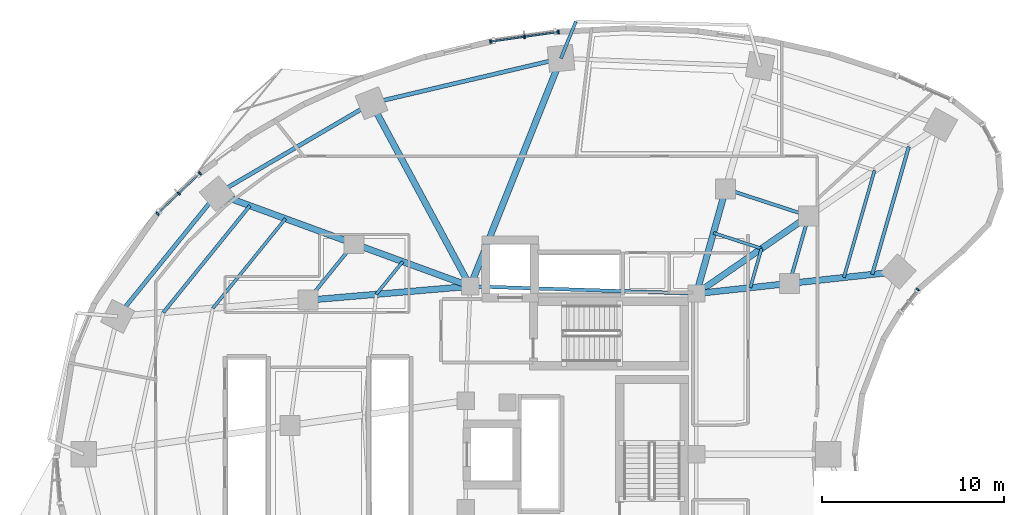
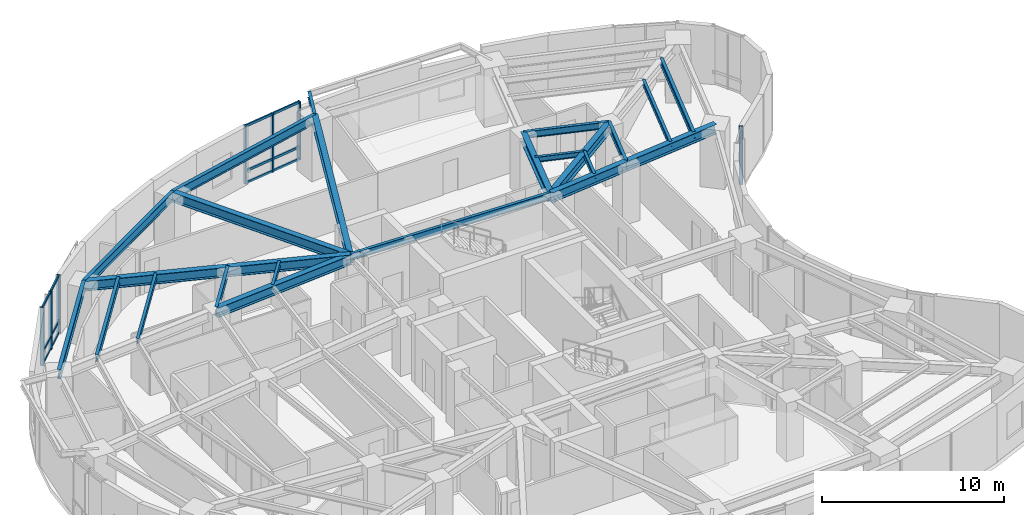
# One storey, part 5 of 15: 24 beams, 19 members, 3 elements without a shape of their own.
"""IFC4 building model written with IfcOpenShell, lengths in metres."""

from ifc_helpers import new_model, si_unit, direction, frame, origin, origin_2d, place, context, subcontext, project, spatial, rectangle, i_section, extrude, material, layer, layer_set, material_profile, profile_set, type_object, element, aggregate, save


model = new_model("IFC4")

# Units and contexts
model_context = context("Model", 3, precision=1e-05, world=origin(), true_north=direction((0.0, 1.0)))
body_context = subcontext(model_context, "Body", "Model", "MODEL_VIEW")
ifc_project = project(units=[si_unit("LENGTHUNIT", "METRE"), si_unit("AREAUNIT", "SQUARE_METRE"), si_unit("VOLUMEUNIT", "CUBIC_METRE"), si_unit("PLANEANGLEUNIT", "RADIAN"), si_unit("MASSUNIT", "GRAM", prefix="KILO")], contexts=[model_context])

# Site, building, storey
site_placement = place(None, origin())
site = spatial("IfcSite", under=ifc_project, at=site_placement, CompositionType="ELEMENT")
building_placement = place(site_placement, origin())
building = spatial("IfcBuilding", under=site, at=building_placement, Name="Korentha Bioscience Tower", CompositionType="ELEMENT")
storey_placement = place(building_placement, frame((0.0, 0.0, 72.0)))
storey = spatial("IfcBuildingStorey", under=building, at=storey_placement, Name="L16", CompositionType="ELEMENT", Elevation=72.0)

# Beams
ifc_material_1 = material(Name="Steel S355", Category="steel")
ifc_material_profile_1 = material_profile(ifc_material_1, i_section(OverallWidth=0.18994140625, OverallDepth=0.45703125, WebThickness=0.009033203125, FlangeThickness=0.014404296875, at=origin_2d()), Name="Steel S355")
ifc_profile_set_1 = profile_set([ifc_material_profile_1], Name="Steel S355 (MB-460)")
beam_type_1 = type_object("IfcBeamType", Name="Mid-Ring Tie Girder W460x74", PredefinedType="BEAM", material=ifc_profile_set_1)
beam_1_placement = place(storey_placement, frame((43.7265625, 40.121337890625, 3.67138671875), z_axis=(-0.950877001105, 0.309568940253, 0.0), x_axis=(-0.309568940253, -0.950877001105, 0.0)))
element("IfcBeam", 1, at=beam_1_placement, inside=storey, type_object=beam_type_1, Name="L16 Mid-Ring Tie Girder 01", PredefinedType="BEAM", context=body_context, shape_type="SweptSolid", body=[
    extrude(i_section(OverallWidth=0.18994140625, OverallDepth=0.45703125, WebThickness=0.009033203125, FlangeThickness=0.014404296875, at=origin_2d()), origin(), (0.0, 0.0, 1.0), 4.80126953125),
])
beam_2_placement = place(storey_placement, frame((18.692138671875, 38.5947265625, 3.67138671875), z_axis=(-0.629790009744, -0.776765436684, 0.0), x_axis=(0.776765436684, -0.629790009744, 0.0)))
element("IfcBeam", 2, at=beam_2_placement, inside=storey, type_object=beam_type_1, Name="L16 Mid-Ring Tie Girder 05", PredefinedType="BEAM", context=body_context, shape_type="SweptSolid", body=[
    extrude(i_section(OverallWidth=0.18994140625, OverallDepth=0.45703125, WebThickness=0.009033203125, FlangeThickness=0.014404296875, at=origin_2d()), origin(), (0.0, 0.0, 1.0), 3.998291015625),
])
beam_3_placement = place(storey_placement, frame((42.66162109375, 36.406982421875, 3.67138671875), z_axis=(0.27560557792, 0.961270807535, 0.0), x_axis=(-0.961270807535, 0.27560557792, 0.0)))
element("IfcBeam", 3, at=beam_3_placement, inside=storey, type_object=beam_type_1, Name="L16 Mid-Ring Tie Girder 16", PredefinedType="BEAM", context=body_context, shape_type="SweptSolid", body=[
    extrude(i_section(OverallWidth=0.18994140625, OverallDepth=0.45703125, WebThickness=0.009033203125, FlangeThickness=0.014404296875, at=origin_2d()), origin(), (0.0, 0.0, 1.0), 3.864013671875),
])
beam_4_placement = place(storey_placement, frame((37.550048828125, 35.85009765625, 3.67138671875), z_axis=(-0.999484526071, 0.032104238723, 0.0), x_axis=(-0.032104238723, -0.999484526071, 0.0)))
element("IfcBeam", 4, at=beam_4_placement, inside=storey, type_object=beam_type_1, Name="L16 Core Ring Tie Girder 01", PredefinedType="BEAM", context=body_context, shape_type="SweptSolid", body=[
    extrude(i_section(OverallWidth=0.18994140625, OverallDepth=0.45703125, WebThickness=0.009033203125, FlangeThickness=0.014404296875, at=origin_2d()), origin(), (0.0, 0.0, 1.0), 12.456298828125),
])

# Curtain wall, members
ifc_material_2 = material(Name="Thermally Broken Aluminium Frame", Category="aluminium")
ifc_layer = layer(ifc_material_2, 0.219970703125, Name="Thermally Broken Aluminium Frame")
ifc_layer_set = layer_set([ifc_layer], Name="Thermally Broken Aluminium Frame (CW-T2)")
curtain_wall_type = type_object("IfcCurtainWallType", Name="Solar-Screened Lab Unitised Curtain Wall CW-T2", PredefinedType="USERDEFINED", material=ifc_layer_set)
curtain_wall_1_placement = place(storey_placement, origin())
curtain_wall_1 = element("IfcCurtainWall", 5, at=curtain_wall_1_placement, inside=storey, type_object=curtain_wall_type, Name="L16 Curtain Wall 07", ObjectType="UNITISED", PredefinedType="USERDEFINED")
ifc_material_3 = material(Name="Anodised Aluminium 6063-T6", Category="aluminium")
ifc_material_profile_2 = material_profile(ifc_material_3, rectangle(XDim=0.090087890625, YDim=0.199951171875, at=origin_2d()), Name="Anodised Aluminium 6063-T6")
ifc_profile_set_2 = profile_set([ifc_material_profile_2], Name="Anodised Aluminium 6063-T6 (CW-MUL)")
member_type_1 = type_object("IfcMemberType", Name="Mullion RECT 90x200", PredefinedType="MULLION", material=ifc_profile_set_2)
member_1_placement = place(storey_placement, frame((29.95849609375, 50.247802734375, 0.0), z_axis=(0.0, 0.0, 1.0), x_axis=(-0.990167372968, -0.139887717511, 0.0)))
member_1 = element("IfcMember", 6, at=member_1_placement, type_object=member_type_1, Name="CW-L16-07 Mullion 1", PredefinedType="MULLION", context=body_context, shape_type="SweptSolid", body=[
    extrude(rectangle(XDim=0.090087890625, YDim=0.199951171875, at=origin_2d()), origin(), (0.0, 0.0, 1.0), 3.89990234375),
])
member_2_placement = place(storey_placement, frame((28.086669921875, 49.9833984375, 0.0), z_axis=(0.0, 0.0, 1.0), x_axis=(-0.990167372968, -0.139887717511, 0.0)))
member_2 = element("IfcMember", 7, at=member_2_placement, type_object=member_type_1, Name="CW-L16-07 Mullion 2", PredefinedType="MULLION", context=body_context, shape_type="SweptSolid", body=[
    extrude(rectangle(XDim=0.090087890625, YDim=0.199951171875, at=origin_2d()), origin(), (0.0, 0.0, 1.0), 3.89990234375),
])
member_3_placement = place(storey_placement, frame((26.214599609375, 49.718994140625, 0.0), z_axis=(0.0, 0.0, 1.0), x_axis=(-0.990167372968, -0.139887717511, 0.0)))
member_3 = element("IfcMember", 8, at=member_3_placement, type_object=member_type_1, Name="CW-L16-07 Mullion 3", PredefinedType="MULLION", context=body_context, shape_type="SweptSolid", body=[
    extrude(rectangle(XDim=0.090087890625, YDim=0.199951171875, at=origin_2d()), origin(), (0.0, 0.0, 1.0), 3.89990234375),
])

curtain_wall_2_placement = place(storey_placement, origin())
curtain_wall_2 = element("IfcCurtainWall", 9, at=curtain_wall_2_placement, inside=storey, type_object=curtain_wall_type, Name="L16 Curtain Wall 13", ObjectType="UNITISED", PredefinedType="USERDEFINED")
member_4_placement = place(storey_placement, frame((10.228759765625, 42.467041015625, 0.0), z_axis=(0.0, 0.0, 1.0), x_axis=(-0.723641761581, -0.690175775361, 0.0)))
member_4 = element("IfcMember", 10, at=member_4_placement, type_object=member_type_1, Name="CW-L16-13 Mullion 1", PredefinedType="MULLION", context=body_context, shape_type="SweptSolid", body=[
    extrude(rectangle(XDim=0.090087890625, YDim=0.199951171875, at=origin_2d()), origin(), (0.0, 0.0, 1.0), 3.89990234375),
])
member_5_placement = place(storey_placement, frame((9.05908203125, 41.3515625, 0.0), z_axis=(0.0, 0.0, 1.0), x_axis=(-0.723641761581, -0.690175775361, 0.0)))
member_5 = element("IfcMember", 11, at=member_5_placement, type_object=member_type_1, Name="CW-L16-13 Mullion 2", PredefinedType="MULLION", context=body_context, shape_type="SweptSolid", body=[
    extrude(rectangle(XDim=0.090087890625, YDim=0.199951171875, at=origin_2d()), origin(), (0.0, 0.0, 1.0), 3.89990234375),
])
member_6_placement = place(storey_placement, frame((7.889404296875, 40.236083984375, 0.0), z_axis=(0.0, 0.0, 1.0), x_axis=(-0.723641761581, -0.690175775361, 0.0)))
member_6 = element("IfcMember", 12, at=member_6_placement, type_object=member_type_1, Name="CW-L16-13 Mullion 3", PredefinedType="MULLION", context=body_context, shape_type="SweptSolid", body=[
    extrude(rectangle(XDim=0.090087890625, YDim=0.199951171875, at=origin_2d()), origin(), (0.0, 0.0, 1.0), 3.89990234375),
])

# Curtain wall, member
curtain_wall_3_placement = place(storey_placement, origin())
curtain_wall_3 = element("IfcCurtainWall", 13, at=curtain_wall_3_placement, inside=storey, type_object=curtain_wall_type, Name="L16 Curtain Wall 55", ObjectType="UNITISED", PredefinedType="USERDEFINED")
member_7_placement = place(storey_placement, frame((49.73291015625, 36.072021484375, 0.0), z_axis=(0.0, 0.0, 1.0), x_axis=(0.622520324648, 0.782603632371, 0.0)))
member_7 = element("IfcMember", 14, at=member_7_placement, type_object=member_type_1, Name="CW-L16-55 Mullion 2", PredefinedType="MULLION", context=body_context, shape_type="SweptSolid", body=[
    extrude(rectangle(XDim=0.090087890625, YDim=0.199951171875, at=origin_2d()), origin(), (0.0, 0.0, 1.0), 3.89990234375),
])
aggregate(curtain_wall_3, [member_7])

# Beams
ifc_material_profile_3 = material_profile(ifc_material_1, i_section(OverallWidth=0.22802734375, OverallDepth=0.60791015625, WebThickness=0.01123046875, FlangeThickness=0.017333984375, at=origin_2d()), Name="Steel S355")
ifc_profile_set_3 = profile_set([ifc_material_profile_3], Name="Steel S355 (SB-610)")
beam_type_2 = type_object("IfcBeamType", Name="Perimeter Ring Spandrel Girder W610x113", PredefinedType="SPANDREL", material=ifc_profile_set_3)
beam_5_placement = place(storey_placement, frame((30.09423828125, 48.79248046875, 3.595947265625), z_axis=(-0.973207885376, -0.229926970672, 0.0), x_axis=(0.229926970672, -0.973207885376, 0.0)))
element("IfcBeam", 15, at=beam_5_placement, inside=storey, type_object=beam_type_2, Name="L16 Perimeter Spandrel Girder 03", PredefinedType="SPANDREL", context=body_context, shape_type="SweptSolid", body=[
    extrude(i_section(OverallWidth=0.22802734375, OverallDepth=0.60791015625, WebThickness=0.01123046875, FlangeThickness=0.017333984375, at=origin_2d()), origin(), (0.0, 0.0, 1.0), 10.71484375),
])
beam_6_placement = place(storey_placement, frame((19.66650390625, 46.328857421875, 3.595947265625), z_axis=(-0.862656574181, -0.505790109653, 0.0), x_axis=(0.505790109653, -0.862656574181, 0.0)))
element("IfcBeam", 16, at=beam_6_placement, inside=storey, type_object=beam_type_2, Name="L16 Perimeter Spandrel Girder 04", PredefinedType="SPANDREL", context=body_context, shape_type="SweptSolid", body=[
    extrude(i_section(OverallWidth=0.22802734375, OverallDepth=0.60791015625, WebThickness=0.01123046875, FlangeThickness=0.017333984375, at=origin_2d()), origin(), (0.0, 0.0, 1.0), 9.849365234375),
])
beam_7_placement = place(storey_placement, frame((11.169921875, 41.34716796875, 3.595947265625), z_axis=(-0.629799210231, -0.776757976974, 0.0), x_axis=(0.776757976974, -0.629799210231, 0.0)))
element("IfcBeam", 17, at=beam_7_placement, inside=storey, type_object=beam_type_2, Name="L16 Perimeter Spandrel Girder 05", PredefinedType="SPANDREL", context=body_context, shape_type="SweptSolid", body=[
    extrude(i_section(OverallWidth=0.22802734375, OverallDepth=0.60791015625, WebThickness=0.01123046875, FlangeThickness=0.017333984375, at=origin_2d()), origin(), (0.0, 0.0, 1.0), 8.69189453125),
])
ifc_material_profile_4 = material_profile(ifc_material_1, i_section(OverallWidth=0.18994140625, OverallDepth=0.45703125, WebThickness=0.009033203125, FlangeThickness=0.014404296875, at=origin_2d()), Name="Steel S355")
ifc_profile_set_4 = profile_set([ifc_material_profile_4], Name="Steel S355 (RB-460)")
beam_type_3 = type_object("IfcBeamType", Name="Radial Laboratory Beam W460x74", PredefinedType="BEAM", material=ifc_profile_set_4)
beam_8_placement = place(storey_placement, frame((12.97509765625, 40.6865234375, 3.67138671875), z_axis=(-0.629797748553, -0.776759162107, 0.0), x_axis=(0.776759162107, -0.629797748553, 0.0)))
element("IfcBeam", 18, at=beam_8_placement, inside=storey, type_object=beam_type_3, Name="L16 Secondary Floor Beam JSTO-05", PredefinedType="BEAM", context=body_context, shape_type="SweptSolid", body=[
    extrude(i_section(OverallWidth=0.18994140625, OverallDepth=0.45703125, WebThickness=0.009033203125, FlangeThickness=0.014404296875, at=origin_2d()), origin(), (0.0, 0.0, 1.0), 7.5654296875),
])
beam_9_placement = place(storey_placement, frame((47.2216796875, 36.90380859375, 3.67138671875), z_axis=(0.275682421415, 0.961248772443, 0.0), x_axis=(-0.961248772443, 0.275682421415, 0.0)))
element("IfcBeam", 19, at=beam_9_placement, inside=storey, type_object=beam_type_3, Name="L16 Secondary Floor Beam JSTO-16", PredefinedType="BEAM", context=body_context, shape_type="SweptSolid", body=[
    extrude(i_section(OverallWidth=0.18994140625, OverallDepth=0.45703125, WebThickness=0.009033203125, FlangeThickness=0.014404296875, at=origin_2d()), origin(), (0.0, 0.0, 1.0), 7.3115234375),
])
ifc_material_profile_5 = material_profile(ifc_material_1, i_section(OverallWidth=0.35009765625, OverallDepth=0.64990234375, WebThickness=0.01611328125, FlangeThickness=0.02490234375, at=origin_2d()), Name="Steel S355")
ifc_profile_set_5 = profile_set([ifc_material_profile_5], Name="Steel S355 (RB-650)")
beam_type_4 = type_object("IfcBeamType", Name="Radial Laboratory Girder CVS 650x208", PredefinedType="BEAM", material=ifc_profile_set_5)
beam_10_placement = place(storey_placement, frame((37.550048828125, 35.85009765625, 3.574951171875), z_axis=(0.822491697625, 0.568777115694, 0.0), x_axis=(-0.568777115694, 0.822491697625, 0.0)))
element("IfcBeam", 20, at=beam_10_placement, inside=storey, type_object=beam_type_4, Name="L16 Inner Radial Girder 01", PredefinedType="BEAM", context=body_context, shape_type="SweptSolid", body=[
    extrude(i_section(OverallWidth=0.35009765625, OverallDepth=0.64990234375, WebThickness=0.01611328125, FlangeThickness=0.02490234375, at=origin_2d()), origin(), (0.0, 0.0, 1.0), 7.509521484375),
])
beam_11_placement = place(storey_placement, frame((37.550048828125, 35.85009765625, 3.574951171875), z_axis=(0.269469369205, 0.963008961049, 0.0), x_axis=(-0.963008961049, 0.269469369205, 0.0)))
element("IfcBeam", 21, at=beam_11_placement, inside=storey, type_object=beam_type_4, Name="L16 Inner Radial Girder 02", PredefinedType="BEAM", context=body_context, shape_type="SweptSolid", body=[
    extrude(i_section(OverallWidth=0.35009765625, OverallDepth=0.64990234375, WebThickness=0.01611328125, FlangeThickness=0.02490234375, at=origin_2d()), origin(), (0.0, 0.0, 1.0), 5.978759765625),
])
beam_12_placement = place(storey_placement, frame((25.10009765625, 36.25, 3.574951171875), z_axis=(0.369931007413, 0.929059228335, 0.0), x_axis=(-0.929059228335, 0.369931007413, 0.0)))
element("IfcBeam", 22, at=beam_12_placement, inside=storey, type_object=beam_type_4, Name="L16 Radial Girder 03", PredefinedType="BEAM", context=body_context, shape_type="SweptSolid", body=[
    extrude(i_section(OverallWidth=0.35009765625, OverallDepth=0.64990234375, WebThickness=0.01611328125, FlangeThickness=0.02490234375, at=origin_2d()), origin(), (0.0, 0.0, 1.0), 13.500244140625),
])
beam_13_placement = place(storey_placement, frame((25.10009765625, 36.25, 3.574951171875), z_axis=(-0.47454097106, 0.880233416081, 0.0), x_axis=(-0.880233416081, -0.47454097106, 0.0)))
element("IfcBeam", 23, at=beam_13_placement, inside=storey, type_object=beam_type_4, Name="L16 Radial Girder 04", PredefinedType="BEAM", context=body_context, shape_type="SweptSolid", body=[
    extrude(i_section(OverallWidth=0.35009765625, OverallDepth=0.64990234375, WebThickness=0.01611328125, FlangeThickness=0.02490234375, at=origin_2d()), origin(), (0.0, 0.0, 1.0), 11.4501953125),
])
beam_14_placement = place(storey_placement, frame((25.10009765625, 36.25, 3.574951171875), z_axis=(-0.939106237741, 0.343626940498, 0.0), x_axis=(-0.343626940498, -0.939106237741, 0.0)))
element("IfcBeam", 24, at=beam_14_placement, inside=storey, type_object=beam_type_4, Name="L16 Inner Radial Girder 05", PredefinedType="BEAM", context=body_context, shape_type="SweptSolid", body=[
    extrude(i_section(OverallWidth=0.35009765625, OverallDepth=0.64990234375, WebThickness=0.01611328125, FlangeThickness=0.02490234375, at=origin_2d()), origin(), (0.0, 0.0, 1.0), 6.823486328125),
])
beam_15_placement = place(storey_placement, frame((18.692138671875, 38.5947265625, 3.574951171875), z_axis=(-0.939106299948, 0.343626770491, 0.0), x_axis=(-0.343626770491, -0.939106299948, 0.0)))
element("IfcBeam", 25, at=beam_15_placement, inside=storey, type_object=beam_type_4, Name="L16 Outer Radial Girder 05", PredefinedType="BEAM", context=body_context, shape_type="SweptSolid", body=[
    extrude(i_section(OverallWidth=0.35009765625, OverallDepth=0.64990234375, WebThickness=0.01611328125, FlangeThickness=0.02490234375, at=origin_2d()), origin(), (0.0, 0.0, 1.0), 8.010009765625),
])
beam_16_placement = place(storey_placement, frame((25.10009765625, 36.25, 3.574951171875), z_axis=(-0.996385503026, -0.08494662654, 0.0), x_axis=(0.08494662654, -0.996385503026, 0.0)))
element("IfcBeam", 26, at=beam_16_placement, inside=storey, type_object=beam_type_4, Name="L16 Inner Radial Girder 06", PredefinedType="BEAM", context=body_context, shape_type="SweptSolid", body=[
    extrude(i_section(OverallWidth=0.35009765625, OverallDepth=0.64990234375, WebThickness=0.01611328125, FlangeThickness=0.02490234375, at=origin_2d()), origin(), (0.0, 0.0, 1.0), 8.95849609375),
])
beam_17_placement = place(storey_placement, frame((37.550048828125, 35.85009765625, 3.574951171875), z_axis=(0.994117709144, 0.10830503389, 0.0), x_axis=(-0.10830503389, 0.994117709144, 0.0)))
element("IfcBeam", 27, at=beam_17_placement, inside=storey, type_object=beam_type_4, Name="L16 Inner Radial Girder 16", PredefinedType="BEAM", context=body_context, shape_type="SweptSolid", body=[
    extrude(i_section(OverallWidth=0.35009765625, OverallDepth=0.64990234375, WebThickness=0.01611328125, FlangeThickness=0.02490234375, at=origin_2d()), origin(), (0.0, 0.0, 1.0), 5.141845703125),
])
beam_18_placement = place(storey_placement, frame((42.66162109375, 36.406982421875, 3.574951171875), z_axis=(0.994115805925, 0.108322501862, 0.0), x_axis=(-0.108322501862, 0.994115805925, 0.0)))
element("IfcBeam", 28, at=beam_18_placement, inside=storey, type_object=beam_type_4, Name="L16 Outer Radial Girder 16", PredefinedType="BEAM", context=body_context, shape_type="SweptSolid", body=[
    extrude(i_section(OverallWidth=0.35009765625, OverallDepth=0.64990234375, WebThickness=0.01611328125, FlangeThickness=0.02490234375, at=origin_2d()), origin(), (0.0, 0.0, 1.0), 6.03564453125),
])
ifc_material_profile_6 = material_profile(ifc_material_1, i_section(OverallWidth=0.1708984375, OverallDepth=0.35498046875, WebThickness=0.007080078125, FlangeThickness=0.01171875, at=origin_2d()), Name="Steel S355")
ifc_profile_set_6 = profile_set([ifc_material_profile_6], Name="Steel S355 (JB-360)")
beam_type_5 = type_object("IfcBeamType", Name="Secondary Laboratory Joist W360x51", PredefinedType="JOIST", material=ifc_profile_set_6)
beam_19_placement = place(storey_placement, frame((41.13232421875, 38.327392578125, 3.722412109375), z_axis=(-0.950869630746, 0.309591578254, 0.0), x_axis=(-0.309591578254, -0.950869630746, 0.0)))
element("IfcBeam", 29, at=beam_19_placement, inside=storey, type_object=beam_type_5, Name="L16 Inner Bay Joist 01", PredefinedType="JOIST", context=body_context, shape_type="SweptSolid", body=[
    extrude(i_section(OverallWidth=0.1708984375, OverallDepth=0.35498046875, WebThickness=0.007080078125, FlangeThickness=0.01171875, at=origin_2d()), origin(), (0.0, 0.0, 1.0), 2.784423828125),
])
beam_20_placement = place(storey_placement, frame((14.930908203125, 39.970947265625, 3.722412109375), z_axis=(-0.629786899984, -0.776767958021, 0.0), x_axis=(0.776767958021, -0.629786899984, 0.0)))
element("IfcBeam", 30, at=beam_20_placement, inside=storey, type_object=beam_type_5, Name="L16 Secondary Floor Beam JST-05", PredefinedType="JOIST", context=body_context, shape_type="SweptSolid", body=[
    extrude(i_section(OverallWidth=0.1708984375, OverallDepth=0.35498046875, WebThickness=0.007080078125, FlangeThickness=0.01171875, at=origin_2d()), origin(), (0.0, 0.0, 1.0), 6.34521484375),
])
beam_21_placement = place(storey_placement, frame((21.38330078125, 37.60986328125, 3.722412109375), z_axis=(-0.629791657613, -0.776764100613, 0.0), x_axis=(0.776764100613, -0.629791657613, 0.0)))
element("IfcBeam", 31, at=beam_21_placement, inside=storey, type_object=beam_type_5, Name="L16 Inner Bay Joist 05", PredefinedType="JOIST", context=body_context, shape_type="SweptSolid", body=[
    extrude(i_section(OverallWidth=0.1708984375, OverallDepth=0.35498046875, WebThickness=0.007080078125, FlangeThickness=0.01171875, at=origin_2d()), origin(), (0.0, 0.0, 1.0), 2.31884765625),
])
beam_22_placement = place(storey_placement, frame((45.66162109375, 36.73388671875, 3.722412109375), z_axis=(0.275667500387, 0.96125305161, 0.0), x_axis=(-0.96125305161, 0.275667500387, 0.0)))
element("IfcBeam", 32, at=beam_22_placement, inside=storey, type_object=beam_type_5, Name="L16 Secondary Floor Beam JST-16", PredefinedType="JOIST", context=body_context, shape_type="SweptSolid", body=[
    extrude(i_section(OverallWidth=0.1708984375, OverallDepth=0.35498046875, WebThickness=0.007080078125, FlangeThickness=0.01171875, at=origin_2d()), origin(), (0.0, 0.0, 1.0), 6.132080078125),
])
beam_23_placement = place(storey_placement, frame((40.5146484375, 36.173095703125, 3.722412109375), z_axis=(0.275613067773, 0.961268660091, 0.0), x_axis=(-0.961268660091, 0.275613067773, 0.0)))
element("IfcBeam", 33, at=beam_23_placement, inside=storey, type_object=beam_type_5, Name="L16 Inner Bay Joist 16", PredefinedType="JOIST", context=body_context, shape_type="SweptSolid", body=[
    extrude(i_section(OverallWidth=0.1708984375, OverallDepth=0.35498046875, WebThickness=0.007080078125, FlangeThickness=0.01171875, at=origin_2d()), origin(), (0.0, 0.0, 1.0), 2.2412109375),
])
ifc_material_profile_7 = material_profile(ifc_material_1, i_section(OverallWidth=0.177978515625, OverallDepth=0.406982421875, WebThickness=0.0078125, FlangeThickness=0.0126953125, at=origin_2d()), Name="Steel S355")
ifc_profile_set_7 = profile_set([ifc_material_profile_7], Name="Steel S355 (CB-410)")
beam_type_6 = type_object("IfcBeamType", Name="Sun-Ledge Cantilever Beam W410x60", PredefinedType="BEAM", material=ifc_profile_set_7)
beam_24_placement = place(storey_placement, frame((30.09423828125, 48.79248046875, 3.698486328125), z_axis=(0.372971735808, 0.927842704497, 0.0), x_axis=(-0.927842704497, 0.372971735808, 0.0)))
element("IfcBeam", 34, at=beam_24_placement, inside=storey, type_object=beam_type_6, Name="L16 Balcony Cantilever Bracket B-L17-01", PredefinedType="BEAM", context=body_context, shape_type="SweptSolid", body=[
    extrude(i_section(OverallWidth=0.177978515625, OverallDepth=0.406982421875, WebThickness=0.0078125, FlangeThickness=0.0126953125, at=origin_2d()), origin(), (0.0, 0.0, 1.0), 2.182373046875),
])

# Member
ifc_material_profile_8 = material_profile(ifc_material_3, rectangle(XDim=0.090087890625, YDim=0.159912109375, at=origin_2d()), Name="Anodised Aluminium 6063-T6")
ifc_profile_set_8 = profile_set([ifc_material_profile_8], Name="Anodised Aluminium 6063-T6 (CW-TRN)")
member_type_2 = type_object("IfcMemberType", Name="Transom RECT 90x160", PredefinedType="USERDEFINED", material=ifc_profile_set_8)
member_8_placement = place(storey_placement, frame((29.913818359375, 50.24169921875, 0.044921875), z_axis=(-0.990159924061, -0.139940432982, 0.0), x_axis=(0.139940432982, -0.990159924061, 0.0)))
member_8 = element("IfcMember", 35, at=member_8_placement, type_object=member_type_2, Name="CW-L16-07 Bay 1 Transom 1", ObjectType="TRANSOM", PredefinedType="USERDEFINED", context=body_context, shape_type="SweptSolid", body=[
    extrude(rectangle(XDim=0.090087890625, YDim=0.159912109375, at=origin_2d()), origin(), (0.0, 0.0, 1.0), 1.800537109375),
])

member_9_placement = place(storey_placement, frame((29.913818359375, 50.24169921875, 0.85009765625), z_axis=(-0.990159924061, -0.139940432982, 0.0), x_axis=(0.139940432982, -0.990159924061, 0.0)))
member_9 = element("IfcMember", 36, at=member_9_placement, type_object=member_type_2, Name="CW-L16-07 Bay 1 Transom 2", ObjectType="TRANSOM", PredefinedType="USERDEFINED", context=body_context, shape_type="SweptSolid", body=[
    extrude(rectangle(XDim=0.090087890625, YDim=0.159912109375, at=origin_2d()), origin(), (0.0, 0.0, 1.0), 1.800537109375),
])

member_10_placement = place(storey_placement, frame((29.913818359375, 50.24169921875, 3.85498046875), z_axis=(-0.990159924061, -0.139940432982, 0.0), x_axis=(0.139940432982, -0.990159924061, 0.0)))
member_10 = element("IfcMember", 37, at=member_10_placement, type_object=member_type_2, Name="CW-L16-07 Bay 1 Transom 3", ObjectType="TRANSOM", PredefinedType="USERDEFINED", context=body_context, shape_type="SweptSolid", body=[
    extrude(rectangle(XDim=0.090087890625, YDim=0.159912109375, at=origin_2d()), origin(), (0.0, 0.0, 1.0), 1.800537109375),
])

member_11_placement = place(storey_placement, frame((28.0419921875, 49.977294921875, 0.044921875), z_axis=(-0.990159924061, -0.139940432982, 0.0), x_axis=(0.139940432982, -0.990159924061, 0.0)))
member_11 = element("IfcMember", 38, at=member_11_placement, type_object=member_type_2, Name="CW-L16-07 Bay 2 Transom 1", ObjectType="TRANSOM", PredefinedType="USERDEFINED", context=body_context, shape_type="SweptSolid", body=[
    extrude(rectangle(XDim=0.090087890625, YDim=0.159912109375, at=origin_2d()), origin(), (0.0, 0.0, 1.0), 1.800537109375),
])

member_12_placement = place(storey_placement, frame((28.0419921875, 49.977294921875, 0.85009765625), z_axis=(-0.990159924061, -0.139940432982, 0.0), x_axis=(0.139940432982, -0.990159924061, 0.0)))
member_12 = element("IfcMember", 39, at=member_12_placement, type_object=member_type_2, Name="CW-L16-07 Bay 2 Transom 2", ObjectType="TRANSOM", PredefinedType="USERDEFINED", context=body_context, shape_type="SweptSolid", body=[
    extrude(rectangle(XDim=0.090087890625, YDim=0.159912109375, at=origin_2d()), origin(), (0.0, 0.0, 1.0), 1.800537109375),
])

member_13_placement = place(storey_placement, frame((28.0419921875, 49.977294921875, 3.85498046875), z_axis=(-0.990159924061, -0.139940432982, 0.0), x_axis=(0.139940432982, -0.990159924061, 0.0)))
member_13 = element("IfcMember", 40, at=member_13_placement, type_object=member_type_2, Name="CW-L16-07 Bay 2 Transom 3", ObjectType="TRANSOM", PredefinedType="USERDEFINED", context=body_context, shape_type="SweptSolid", body=[
    extrude(rectangle(XDim=0.090087890625, YDim=0.159912109375, at=origin_2d()), origin(), (0.0, 0.0, 1.0), 1.800537109375),
])

aggregate(curtain_wall_1, [member_1, member_2, member_3, member_8, member_9, member_10, member_11, member_12, member_13])

member_14_placement = place(storey_placement, frame((10.1962890625, 42.43603515625, 0.044921875), z_axis=(-0.72370039216, -0.690114296612, 0.0), x_axis=(0.690114296612, -0.72370039216, 0.0)))
member_14 = element("IfcMember", 41, at=member_14_placement, type_object=member_type_2, Name="CW-L16-13 Bay 1 Transom 1", ObjectType="TRANSOM", PredefinedType="USERDEFINED", context=body_context, shape_type="SweptSolid", body=[
    extrude(rectangle(XDim=0.090087890625, YDim=0.159912109375, at=origin_2d()), origin(), (0.0, 0.0, 1.0), 1.526611328125),
])

member_15_placement = place(storey_placement, frame((10.1962890625, 42.43603515625, 0.85009765625), z_axis=(-0.72370039216, -0.690114296612, 0.0), x_axis=(0.690114296612, -0.72370039216, 0.0)))
member_15 = element("IfcMember", 42, at=member_15_placement, type_object=member_type_2, Name="CW-L16-13 Bay 1 Transom 2", ObjectType="TRANSOM", PredefinedType="USERDEFINED", context=body_context, shape_type="SweptSolid", body=[
    extrude(rectangle(XDim=0.090087890625, YDim=0.159912109375, at=origin_2d()), origin(), (0.0, 0.0, 1.0), 1.526611328125),
])

member_16_placement = place(storey_placement, frame((10.1962890625, 42.43603515625, 3.85498046875), z_axis=(-0.72370039216, -0.690114296612, 0.0), x_axis=(0.690114296612, -0.72370039216, 0.0)))
member_16 = element("IfcMember", 43, at=member_16_placement, type_object=member_type_2, Name="CW-L16-13 Bay 1 Transom 3", ObjectType="TRANSOM", PredefinedType="USERDEFINED", context=body_context, shape_type="SweptSolid", body=[
    extrude(rectangle(XDim=0.090087890625, YDim=0.159912109375, at=origin_2d()), origin(), (0.0, 0.0, 1.0), 1.526611328125),
])

member_17_placement = place(storey_placement, frame((9.026611328125, 41.320556640625, 0.044921875), z_axis=(-0.72370039216, -0.690114296612, 0.0), x_axis=(0.690114296612, -0.72370039216, 0.0)))
member_17 = element("IfcMember", 44, at=member_17_placement, type_object=member_type_2, Name="CW-L16-13 Bay 2 Transom 1", ObjectType="TRANSOM", PredefinedType="USERDEFINED", context=body_context, shape_type="SweptSolid", body=[
    extrude(rectangle(XDim=0.090087890625, YDim=0.159912109375, at=origin_2d()), origin(), (0.0, 0.0, 1.0), 1.526611328125),
])

member_18_placement = place(storey_placement, frame((9.026611328125, 41.320556640625, 0.85009765625), z_axis=(-0.72370039216, -0.690114296612, 0.0), x_axis=(0.690114296612, -0.72370039216, 0.0)))
member_18 = element("IfcMember", 45, at=member_18_placement, type_object=member_type_2, Name="CW-L16-13 Bay 2 Transom 2", ObjectType="TRANSOM", PredefinedType="USERDEFINED", context=body_context, shape_type="SweptSolid", body=[
    extrude(rectangle(XDim=0.090087890625, YDim=0.159912109375, at=origin_2d()), origin(), (0.0, 0.0, 1.0), 1.526611328125),
])

member_19_placement = place(storey_placement, frame((9.026611328125, 41.320556640625, 3.85498046875), z_axis=(-0.72370039216, -0.690114296612, 0.0), x_axis=(0.690114296612, -0.72370039216, 0.0)))
member_19 = element("IfcMember", 46, at=member_19_placement, type_object=member_type_2, Name="CW-L16-13 Bay 2 Transom 3", ObjectType="TRANSOM", PredefinedType="USERDEFINED", context=body_context, shape_type="SweptSolid", body=[
    extrude(rectangle(XDim=0.090087890625, YDim=0.159912109375, at=origin_2d()), origin(), (0.0, 0.0, 1.0), 1.526611328125),
])

aggregate(curtain_wall_2, [member_4, member_5, member_6, member_14, member_15, member_16, member_17, member_18, member_19])

save(model, "model.ifc")
